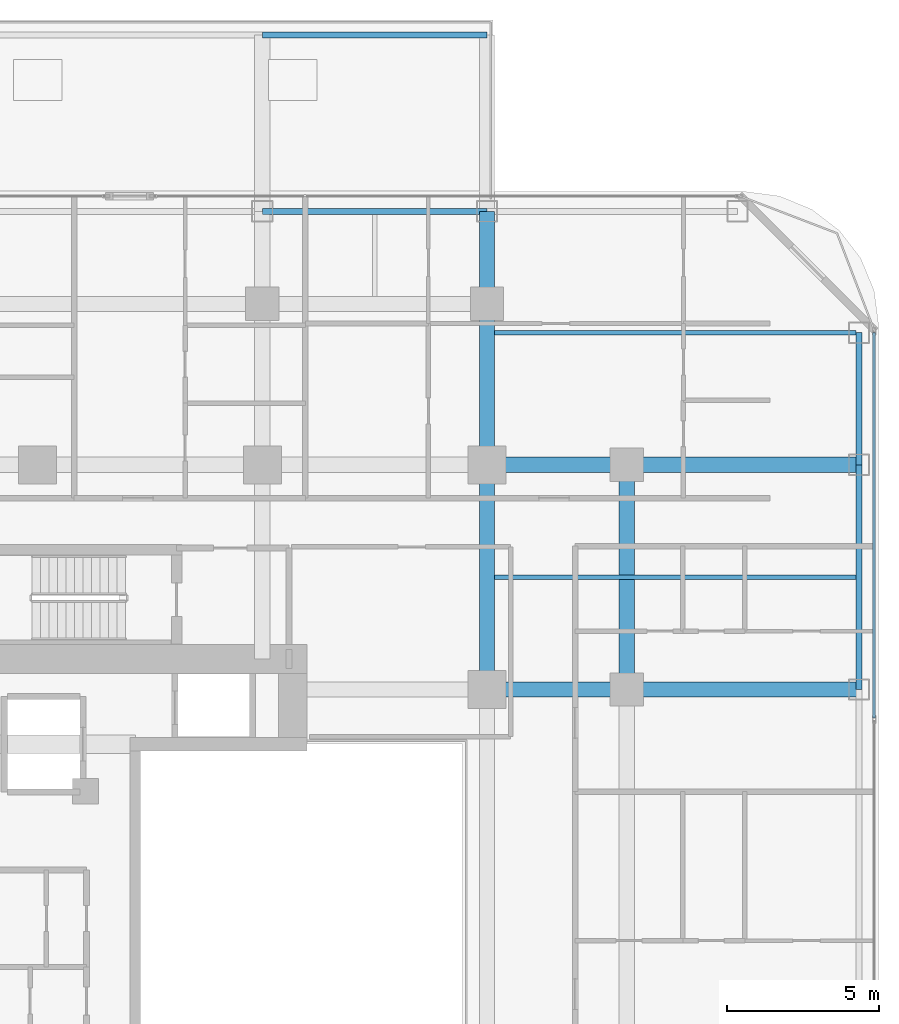
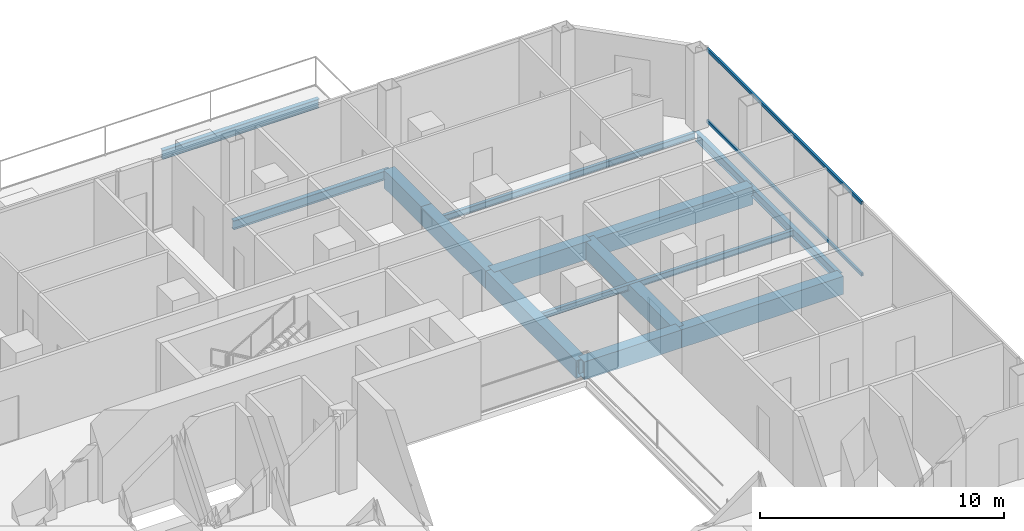
# One storey, part 16 of 29: 14 beams, 2 members, 1 element without a shape of its own.
"""IFC4 building model written with IfcOpenShell, lengths in metres."""

from ifc_helpers import new_model, si_unit, direction, frame, origin, origin_2d, place, context, subcontext, project, spatial, hollow_rectangle, i_section, extrude, material, layer, layer_set, material_profile, profile_set, type_object, element, aggregate, save


model = new_model("IFC4")

# Units and contexts
model_context = context("Model", 3, precision=1e-05, world=origin(), true_north=direction((0.0, 1.0)))
body_context = subcontext(model_context, "Body", "Model", "MODEL_VIEW")
ifc_project = project(units=[si_unit("LENGTHUNIT", "METRE"), si_unit("AREAUNIT", "SQUARE_METRE"), si_unit("VOLUMEUNIT", "CUBIC_METRE"), si_unit("PLANEANGLEUNIT", "RADIAN"), si_unit("MASSUNIT", "GRAM", prefix="KILO")], contexts=[model_context])

# Site, building, storey
site_placement = place(None, origin())
site = spatial("IfcSite", under=ifc_project, at=site_placement, CompositionType="ELEMENT")
building_placement = place(site_placement, origin())
building = spatial("IfcBuilding", under=site, at=building_placement, Name="Khorvyn Point Tower", CompositionType="ELEMENT")
storey_placement = place(building_placement, frame((0.0, 0.0, 136.800048828125)))
storey = spatial("IfcBuildingStorey", under=building, at=storey_placement, Name="L34", CompositionType="ELEMENT", Elevation=136.800048828125)

# Curtain wall, members
ifc_material_1 = material(Name="Anodised aluminium 6063-T6 and laminated Low-E glass", Category="aluminium")
ifc_layer = layer(ifc_material_1, 0.18994140625)
ifc_layer_set = layer_set([ifc_layer], Name="Stick-Built Acoustic Curtain Wall CW-SYS-03")
curtain_wall_type = type_object("IfcCurtainWallType", Name="Stick-Built Acoustic Curtain Wall CW-SYS-03", PredefinedType="NOTDEFINED", material=ifc_layer_set)
curtain_wall_placement = place(storey_placement, origin())
curtain_wall = element("IfcCurtainWall", 1, at=curtain_wall_placement, inside=storey, type_object=curtain_wall_type, Name="Curtain Wall", PredefinedType="NOTDEFINED")
ifc_material_2 = material(Name="Anodised aluminium 6063-T6", Category="aluminium")
ifc_material_profile_1 = material_profile(ifc_material_2, hollow_rectangle(XDim=0.10009765625, YDim=0.159912109375, WallThickness=0.00439453125, at=origin_2d()))
ifc_profile_set_1 = profile_set([ifc_material_profile_1], Name="Anodised aluminium 6063-T6 ALU-TRN-100x160")
member_type = type_object("IfcMemberType", Name="Anodised Aluminium 6063-T6 Transom ALU-TRN-100x160", PredefinedType="USERDEFINED", material=ifc_profile_set_1)
member_1_placement = place(storey_placement, frame((27.550048828125, 19.14990234375, 0.050048828125), z_axis=(0.0, -1.0, 0.0), x_axis=(1.0, 0.0, 0.0)))
member_1 = element("IfcMember", 2, at=member_1_placement, type_object=member_type, Name="Transom", ObjectType="TRANSOM", PredefinedType="USERDEFINED", context=body_context, shape_type="SweptSolid", body=[
    extrude(hollow_rectangle(XDim=0.10009765625, YDim=0.159912109375, WallThickness=0.00439453125, at=origin_2d()), origin(), (0.0, 0.0, 1.0), 12.683349609375),
])
member_2_placement = place(storey_placement, frame((27.550048828125, 19.14990234375, 3.6298828125), z_axis=(0.0, -1.0, 0.0), x_axis=(1.0, 0.0, 0.0)))
member_2 = element("IfcMember", 3, at=member_2_placement, type_object=member_type, Name="Transom", ObjectType="TRANSOM", PredefinedType="USERDEFINED", context=body_context, shape_type="SweptSolid", body=[
    extrude(hollow_rectangle(XDim=0.10009765625, YDim=0.159912109375, WallThickness=0.00439453125, at=origin_2d()), origin(), (0.0, 0.0, 1.0), 12.683349609375),
])
aggregate(curtain_wall, [member_1, member_2])

# Beams
ifc_material_3 = material(Name="Steel S355", Category="steel")
ifc_material_profile_2 = material_profile(ifc_material_3, i_section(OverallWidth=0.14990234375, OverallDepth=0.300048828125, WebThickness=0.006591796875, FlangeThickness=0.009033203125, at=origin_2d()))
ifc_profile_set_2 = profile_set([ifc_material_profile_2], Name="Steel S355 H300x150x6.5x9")
beam_type_1 = type_object("IfcBeamType", Name="Steel S355 Joist H300x150x6.5x9", PredefinedType="JOIST", material=ifc_profile_set_2)
for number, where, z_axis, x_axis, name in (
    (4, (15.050048828125, 11.10009765625, -0.429931640625), (1.0, 0.0, 0.0), (0.0, 1.0, 0.0), "Beam"),
    (5, (15.050048828125, 19.14990234375, -0.429931640625), (1.0, 0.0, 0.0), (0.0, 1.0, 0.0), "Beam"),
):
    element("IfcBeam", number, at=place(storey_placement, frame(where, z_axis=z_axis, x_axis=x_axis)), inside=storey, type_object=beam_type_1, Name=name, PredefinedType="JOIST", context=body_context, shape_type="SweptSolid", body=[
        extrude(i_section(OverallWidth=0.14990234375, OverallDepth=0.300048828125, WebThickness=0.006591796875, FlangeThickness=0.009033203125, at=origin_2d()), origin(), (0.0, 0.0, 1.0), 11.89990234375),
    ])
ifc_material_profile_3 = material_profile(ifc_material_3, i_section(OverallWidth=0.199951171875, OverallDepth=0.449951171875, WebThickness=0.009033203125, FlangeThickness=0.013916015625, at=origin_2d()))
ifc_profile_set_3 = profile_set([ifc_material_profile_3], Name="Steel S355 H450x200x9x14")
beam_type_2 = type_object("IfcBeamType", Name="Steel S355 Spandrel H450x200x9x14", PredefinedType="SPANDREL", material=ifc_profile_set_3)
for number, where, z_axis, x_axis, name in (
    (6, (7.39990234375, 23.14990234375, -0.505126953125), (1.0, 0.0, 0.0), (0.0, 1.0, 0.0), "Beam"),
    (7, (27.050048828125, 7.39990234375, -0.505126953125), (0.0, 1.0, 0.0), (-1.0, 0.0, 0.0), "Beam"),
):
    element("IfcBeam", number, at=place(storey_placement, frame(where, z_axis=z_axis, x_axis=x_axis)), inside=storey, type_object=beam_type_2, Name=name, PredefinedType="SPANDREL", context=body_context, shape_type="SweptSolid", body=[
        extrude(i_section(OverallWidth=0.199951171875, OverallDepth=0.449951171875, WebThickness=0.009033203125, FlangeThickness=0.013916015625, at=origin_2d()), origin(), (0.0, 0.0, 1.0), 7.400146484375),
    ])
beam_1_placement = place(storey_placement, frame((27.050048828125, 14.800048828125, -0.505126953125), z_axis=(0.0, 1.0, 0.0), x_axis=(-1.0, 0.0, 0.0)))
element("IfcBeam", 8, at=beam_1_placement, inside=storey, type_object=beam_type_2, Name="Beam", PredefinedType="SPANDREL", context=body_context, shape_type="SweptSolid", body=[
    extrude(i_section(OverallWidth=0.199951171875, OverallDepth=0.449951171875, WebThickness=0.009033203125, FlangeThickness=0.013916015625, at=origin_2d()), origin(), (0.0, 0.0, 1.0), 4.349853515625),
])
beam_2_placement = place(storey_placement, frame((7.39990234375, 28.949951171875, -0.505126953125), z_axis=(1.0, 0.0, 0.0), x_axis=(0.0, 1.0, 0.0)))
element("IfcBeam", 9, at=beam_2_placement, inside=storey, type_object=beam_type_2, Name="Beam", PredefinedType="SPANDREL", context=body_context, shape_type="SweptSolid", body=[
    extrude(i_section(OverallWidth=0.199951171875, OverallDepth=0.449951171875, WebThickness=0.009033203125, FlangeThickness=0.013916015625, at=origin_2d()), origin(), (0.0, 0.0, 1.0), 7.400146484375),
])
ifc_material_4 = material(Name="Steel S450", Category="steel")
ifc_material_profile_4 = material_profile(ifc_material_4, hollow_rectangle(XDim=0.5, YDim=0.89990234375, WallThickness=0.0400390625, at=origin_2d()))
ifc_profile_set_4 = profile_set([ifc_material_profile_4], Name="Steel S450 BOX900x500x40")
beam_type_3 = type_object("IfcBeamType", Name="Steel S450 Beam BOX900x500x40", PredefinedType="BEAM", material=ifc_profile_set_4)
beam_3_placement = place(storey_placement, frame((14.800048828125, 14.800048828125, -0.72998046875), z_axis=(1.0, 0.0, 0.0), x_axis=(0.0, 1.0, 0.0)))
element("IfcBeam", 10, at=beam_3_placement, inside=storey, type_object=beam_type_3, Name="L34 Radial Transfer Girder", PredefinedType="BEAM", context=body_context, shape_type="SweptSolid", body=[
    extrude(hollow_rectangle(XDim=0.5, YDim=0.89990234375, WallThickness=0.0400390625, at=origin_2d()), origin(), (0.0, 0.0, 1.0), 4.599853515625),
])
beam_4_placement = place(storey_placement, frame((19.39990234375, 14.800048828125, -0.72998046875), z_axis=(1.0, 0.0, 0.0), x_axis=(0.0, 1.0, 0.0)))
element("IfcBeam", 11, at=beam_4_placement, inside=storey, type_object=beam_type_3, Name="L34 Radial Transfer Girder", PredefinedType="BEAM", context=body_context, shape_type="SweptSolid", body=[
    extrude(hollow_rectangle(XDim=0.5, YDim=0.89990234375, WallThickness=0.0400390625, at=origin_2d()), origin(), (0.0, 0.0, 1.0), 7.650146484375),
])
beam_5_placement = place(storey_placement, frame((14.800048828125, 7.39990234375, -0.72998046875), z_axis=(1.0, 0.0, 0.0), x_axis=(0.0, 1.0, 0.0)))
element("IfcBeam", 12, at=beam_5_placement, inside=storey, type_object=beam_type_3, Name="Beam", PredefinedType="BEAM", context=body_context, shape_type="SweptSolid", body=[
    extrude(hollow_rectangle(XDim=0.5, YDim=0.89990234375, WallThickness=0.0400390625, at=origin_2d()), origin(), (0.0, 0.0, 1.0), 4.599853515625),
])
beam_6_placement = place(storey_placement, frame((19.39990234375, 7.39990234375, -0.72998046875), z_axis=(1.0, 0.0, 0.0), x_axis=(0.0, 1.0, 0.0)))
element("IfcBeam", 13, at=beam_6_placement, inside=storey, type_object=beam_type_3, Name="Beam", PredefinedType="BEAM", context=body_context, shape_type="SweptSolid", body=[
    extrude(hollow_rectangle(XDim=0.5, YDim=0.89990234375, WallThickness=0.0400390625, at=origin_2d()), origin(), (0.0, 0.0, 1.0), 7.650146484375),
])
beam_7_placement = place(storey_placement, frame((14.800048828125, 7.39990234375, -0.72998046875), z_axis=(0.0, 1.0, 0.0), x_axis=(-1.0, 0.0, 0.0)))
element("IfcBeam", 14, at=beam_7_placement, inside=storey, type_object=beam_type_3, Name="L34 Radial Transfer Girder", PredefinedType="BEAM", context=body_context, shape_type="SweptSolid", body=[
    extrude(hollow_rectangle(XDim=0.5, YDim=0.89990234375, WallThickness=0.0400390625, at=origin_2d()), origin(), (0.0, 0.0, 1.0), 7.400146484375),
])
beam_8_placement = place(storey_placement, frame((14.800048828125, 14.800048828125, -0.72998046875), z_axis=(0.0, 1.0, 0.0), x_axis=(-1.0, 0.0, 0.0)))
element("IfcBeam", 15, at=beam_8_placement, inside=storey, type_object=beam_type_3, Name="L34 Radial Transfer Girder", PredefinedType="BEAM", context=body_context, shape_type="SweptSolid", body=[
    extrude(hollow_rectangle(XDim=0.5, YDim=0.89990234375, WallThickness=0.0400390625, at=origin_2d()), origin(), (0.0, 0.0, 1.0), 5.300048828125),
])
beam_9_placement = place(storey_placement, frame((14.800048828125, 20.10009765625, -0.72998046875), z_axis=(0.0, 1.0, 0.0), x_axis=(-1.0, 0.0, 0.0)))
element("IfcBeam", 16, at=beam_9_placement, inside=storey, type_object=beam_type_3, Name="L34 Radial Transfer Girder", PredefinedType="BEAM", context=body_context, shape_type="SweptSolid", body=[
    extrude(hollow_rectangle(XDim=0.5, YDim=0.89990234375, WallThickness=0.0400390625, at=origin_2d()), origin(), (0.0, 0.0, 1.0), 3.0498046875),
])
beam_10_placement = place(storey_placement, frame((19.39990234375, 7.39990234375, -0.72998046875), z_axis=(0.0, 1.0, 0.0), x_axis=(-1.0, 0.0, 0.0)))
element("IfcBeam", 17, at=beam_10_placement, inside=storey, type_object=beam_type_3, Name="Beam", PredefinedType="BEAM", context=body_context, shape_type="SweptSolid", body=[
    extrude(hollow_rectangle(XDim=0.5, YDim=0.89990234375, WallThickness=0.0400390625, at=origin_2d()), origin(), (0.0, 0.0, 1.0), 7.400146484375),
])

save(model, "model.ifc")
